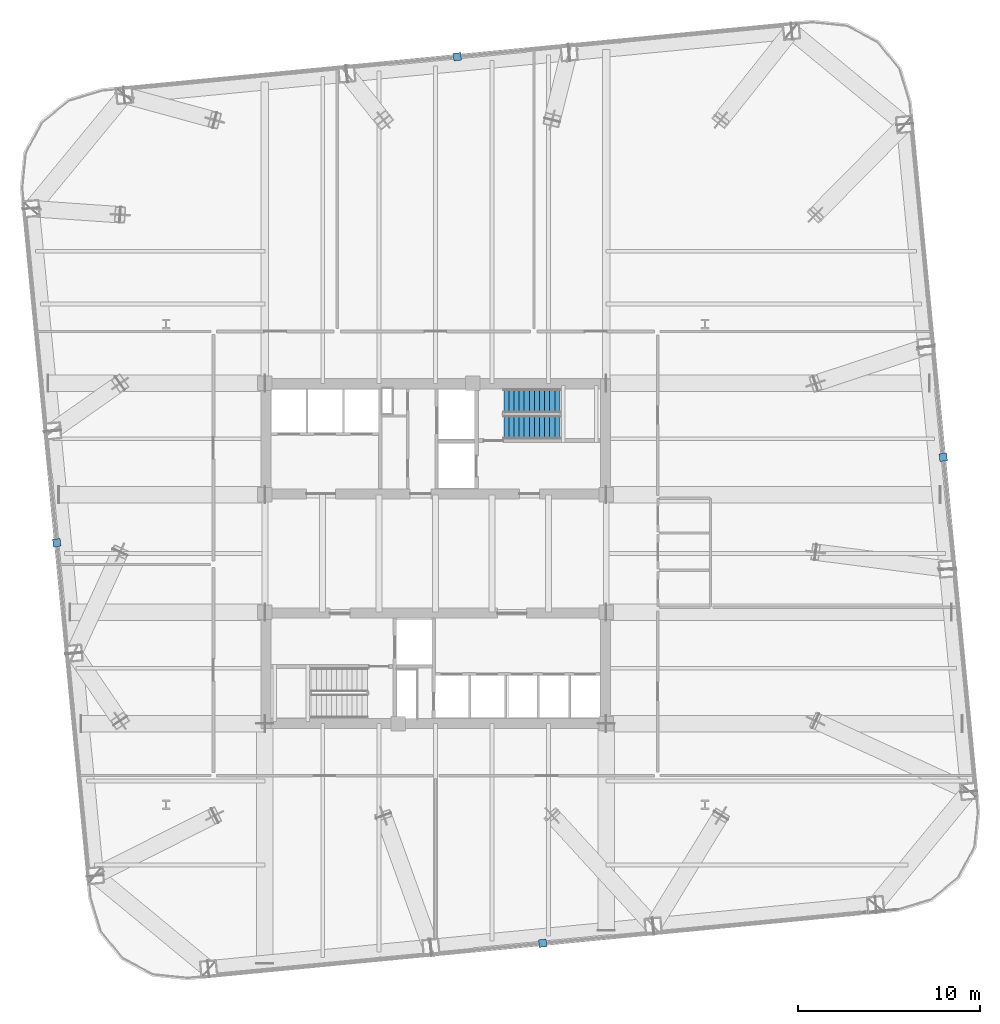
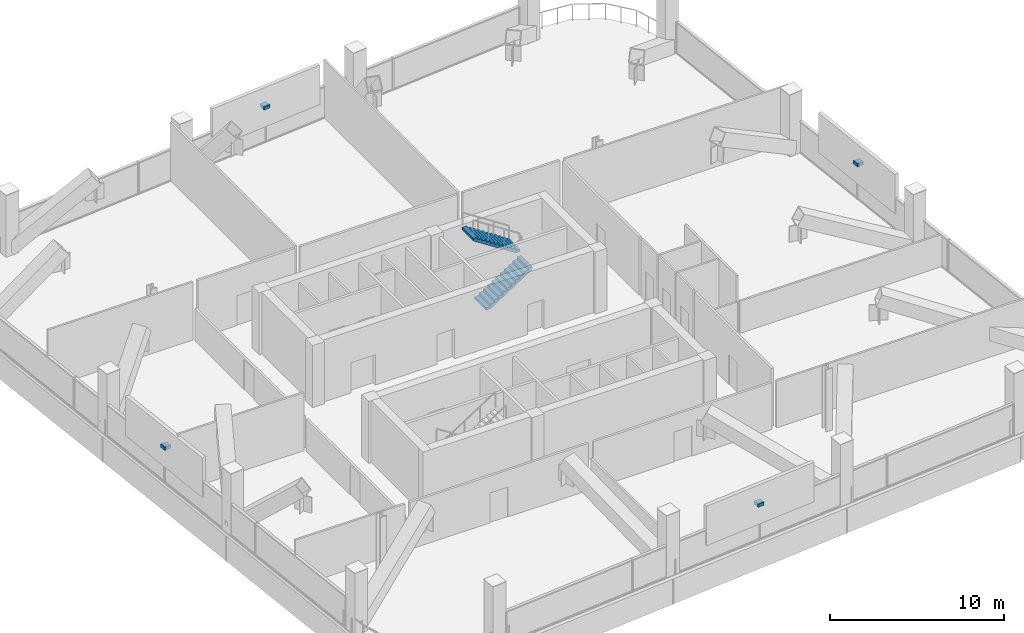
# One storey, part 27 of 30: 4 discrete accessories, 2 stair flights, 1 element without a shape of its own.
"""IFC4 building model written with IfcOpenShell, lengths in metres."""

from ifc_helpers import new_model, si_unit, direction, frame, origin, origin_2d, place, context, subcontext, project, spatial, polyline, rectangle, outline, extrude, material, type_object, element, aggregate, save


model = new_model("IFC4")

# Units and contexts
model_context = context("Model", 3, precision=1e-05, world=origin(), true_north=direction((0.0, 1.0)))
body_context = subcontext(model_context, "Body", "Model", "MODEL_VIEW")
ifc_project = project(units=[si_unit("LENGTHUNIT", "METRE"), si_unit("AREAUNIT", "SQUARE_METRE"), si_unit("VOLUMEUNIT", "CUBIC_METRE"), si_unit("PLANEANGLEUNIT", "RADIAN"), si_unit("MASSUNIT", "GRAM", prefix="KILO")], contexts=[model_context])

# Site, building, storey
site_placement = place(None, origin())
site = spatial("IfcSite", under=ifc_project, at=site_placement, CompositionType="ELEMENT")
building_placement = place(site_placement, origin())
building = spatial("IfcBuilding", under=site, at=building_placement, Name="Qhalaya Broadcast Tower", CompositionType="ELEMENT")
storey_placement = place(building_placement, frame((0.0, 0.0, 96.89990234375)))
storey = spatial("IfcBuildingStorey", under=building, at=storey_placement, Name="L28", CompositionType="ELEMENT", Elevation=96.89990234375)

# Stair, stair flights
ifc_material_1 = material(Name="Concrete C40/50", Category="concrete")
stair_type = type_object("IfcStairType", Name="Protected Dogleg Core Stair 4200", PredefinedType="TWO_STRAIGHT_RUN_STAIR", material=ifc_material_1)
stair_placement = place(storey_placement, origin())
stair = element("IfcStair", 1, at=stair_placement, inside=storey, type_object=stair_type, Name="L28 North Core Exit Stair ST-1", PredefinedType="TWO_STRAIGHT_RUN_STAIR")
ifc_material_2 = material(Name="Precast Concrete C40/50", Category="concrete")
stair_flight_type = type_object("IfcStairFlightType", Name="Precast Concrete Stair Flight 4200", PredefinedType="STRAIGHT", material=ifc_material_2)
stair_flight_1_placement = place(storey_placement, frame((3.75, 7.5400390625, 0.0), z_axis=(0.0, 0.0, 1.0), x_axis=(1.0, 0.0, 0.0)))
stair_flight_1 = element("IfcStairFlight", 2, at=stair_flight_1_placement, type_object=stair_flight_type, Name="ST-1 flight 1", NumberOfRisers=12, NumberOfTreads=11, PredefinedType="STRAIGHT", RiserHeight=0.18125, TreadLength=0.28, context=body_context, shape_type="SweptSolid", body=[
    extrude(outline(polyline([(0.0, 0.0), (0.0, 0.18115234375), (0.280029296875, 0.18115234375), (0.280029296875, 0.362548828125), (0.56005859375, 0.362548828125), (0.56005859375, 0.543701171875), (0.840087890625, 0.543701171875), (0.840087890625, 0.72509765625), (1.1201171875, 0.72509765625), (1.1201171875, 0.90625), (1.39990234375, 0.90625), (1.39990234375, 1.08740234375), (1.679931640625, 1.08740234375), (1.679931640625, 1.268798828125), (1.9599609375, 1.268798828125), (1.9599609375, 1.449951171875), (2.239990234375, 1.449951171875), (2.239990234375, 1.63134765625), (2.52001953125, 1.63134765625), (2.52001953125, 1.8125), (2.800048828125, 1.8125), (2.800048828125, 1.99365234375), (3.080078125, 1.99365234375), (3.080078125, 2.175048828125), (3.080078125, 1.815185546875), (0.27587890625, 0.0), (0.0, 0.0)])), frame((0.0, 0.66015625, 0.0), z_axis=(0.0, -1.0, 0.0), x_axis=(1.0, 0.0, 0.0)), (0.0, 0.0, 1.0), 1.320068359375),
])
stair_flight_2_placement = place(storey_placement, frame((6.830078125, 8.97998046875, 2.175048828125), z_axis=(0.0, 0.0, 1.0), x_axis=(-1.0, 0.0, 0.0)))
stair_flight_2 = element("IfcStairFlight", 3, at=stair_flight_2_placement, type_object=stair_flight_type, Name="ST-1 flight 2", NumberOfRisers=12, NumberOfTreads=11, PredefinedType="STRAIGHT", RiserHeight=0.18125, TreadLength=0.28, context=body_context, shape_type="SweptSolid", body=[
    extrude(outline(polyline([(0.0, 0.0), (0.0, 0.18115234375), (0.280029296875, 0.18115234375), (0.280029296875, 0.362548828125), (0.56005859375, 0.362548828125), (0.56005859375, 0.543701171875), (0.840087890625, 0.543701171875), (0.840087890625, 0.72509765625), (1.1201171875, 0.72509765625), (1.1201171875, 0.90625), (1.39990234375, 0.90625), (1.39990234375, 1.08740234375), (1.679931640625, 1.08740234375), (1.679931640625, 1.268798828125), (1.9599609375, 1.268798828125), (1.9599609375, 1.449951171875), (2.239990234375, 1.449951171875), (2.239990234375, 1.63134765625), (2.52001953125, 1.63134765625), (2.52001953125, 1.8125), (2.800048828125, 1.8125), (2.800048828125, 1.99365234375), (3.080078125, 1.99365234375), (3.080078125, 2.175048828125), (3.080078125, 1.815185546875), (0.27587890625, 0.0), (0.0, 0.0)])), frame((0.0, 0.66015625, 0.0), z_axis=(0.0, -1.0, 0.0), x_axis=(1.0, 0.0, 0.0)), (0.0, 0.0, 1.0), 1.320068359375),
])
aggregate(stair, [stair_flight_1, stair_flight_2])

# Discrete accessories
ifc_material_3 = material(Name="Structural Steel ASTM A572 Grade 50", Category="steel")
discrete_accessory_type = type_object("IfcDiscreteAccessoryType", Name="Facade Baguette Support Bracket BRK-01", PredefinedType="BRACKET", material=ifc_material_3)
for number, where, z_axis, x_axis, name in (
    (4, (5.884521484375, -20.807373046875, 2.41357421875), (0.0, 0.0, 1.0), (0.995396198367, 0.09584575252, 0.0), "L28 Baguette Support Bracket S"),
    (5, (27.887451171875, 5.884521484375, 2.41357421875), (0.0, 0.0, 1.0), (-0.09584575252, 0.995396198367, 0.0), "L28 Baguette Support Bracket E"),
    (6, (1.195556640625, 27.887451171875, 2.41357421875), (0.0, 0.0, 1.0), (-0.995396198367, -0.09584575252, 0.0), "L28 Baguette Support Bracket N"),
    (7, (-20.807373046875, 1.195556640625, 2.41357421875), (0.0, 0.0, 1.0), (0.09584575252, -0.995396198367, 0.0), "L28 Baguette Support Bracket W"),
):
    element("IfcDiscreteAccessory", number, at=place(storey_placement, frame(where, z_axis=z_axis, x_axis=x_axis)), inside=storey, type_object=discrete_accessory_type, Name=name, PredefinedType="BRACKET", context=body_context, shape_type="SweptSolid", body=[
        extrude(rectangle(XDim=0.419921875, YDim=0.419921875, at=origin_2d()), origin(), (0.0, 0.0, 1.0), 0.219970703125),
    ])

save(model, "model.ifc")
